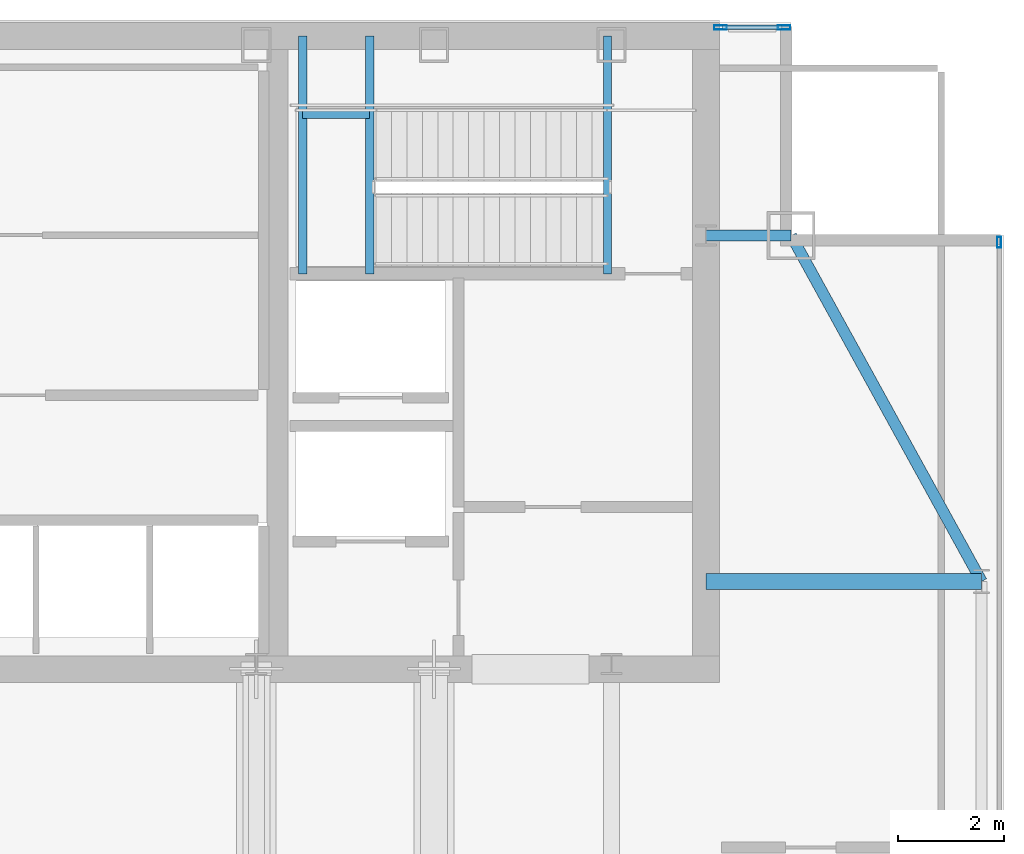
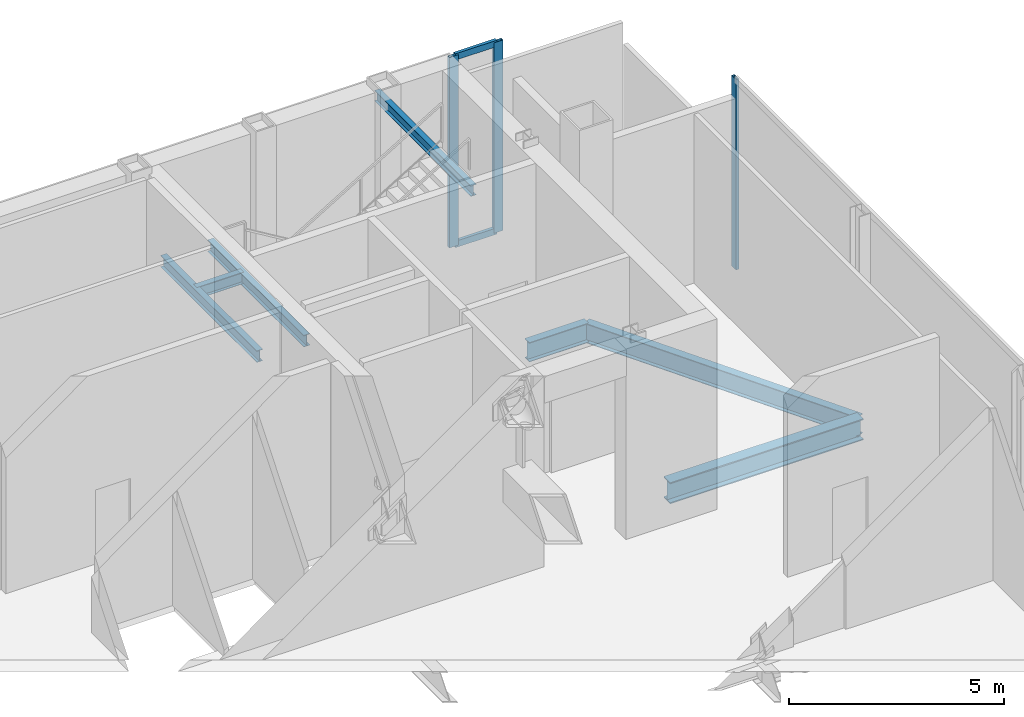
# One storey, part 20 of 26: 7 beams, 5 members, 2 elements without a shape of their own.
"""IFC4 building model written with IfcOpenShell, lengths in metres."""

from ifc_helpers import new_model, si_unit, direction, frame, origin, origin_2d, place, context, subcontext, project, spatial, hollow_rectangle, i_section, extrude, material, material_profile, profile_set, type_object, element, aggregate, save


model = new_model("IFC4")

# Units and contexts
model_context = context("Model", 3, precision=1e-05, world=origin(), true_north=direction((0.0, 1.0)))
body_context = subcontext(model_context, "Body", "Model", "MODEL_VIEW")
ifc_project = project(units=[si_unit("LENGTHUNIT", "METRE"), si_unit("AREAUNIT", "SQUARE_METRE"), si_unit("VOLUMEUNIT", "CUBIC_METRE"), si_unit("PLANEANGLEUNIT", "RADIAN"), si_unit("MASSUNIT", "GRAM", prefix="KILO")], contexts=[model_context])

# Site, building, storey
site_placement = place(None, origin())
site = spatial("IfcSite", under=ifc_project, at=site_placement, CompositionType="ELEMENT")
building_placement = place(site_placement, origin())
building = spatial("IfcBuilding", under=site, at=building_placement, Name="Khoronbel Lancet Exchange", CompositionType="ELEMENT")
storey_placement = place(building_placement, frame((0.0, 0.0, 350.60009765625)))
storey = spatial("IfcBuildingStorey", under=building, at=storey_placement, Name="L91", CompositionType="ELEMENT", Elevation=350.60009765625)

# Beams
ifc_material_1 = material(Name="Steel S355", Category="steel")
ifc_material_profile_1 = material_profile(ifc_material_1, i_section(OverallWidth=0.300048828125, OverallDepth=0.60009765625, WebThickness=0.015380859375, FlangeThickness=0.030029296875, at=origin_2d()), Name="HEB 600")
ifc_profile_set_1 = profile_set([ifc_material_profile_1], Name="Steel S355")
beam_type_1 = type_object("IfcBeamType", Name="BM-BG5", PredefinedType="BEAM", material=ifc_profile_set_1)
beam_1_placement = place(storey_placement, frame((56.449951171875, 43.199951171875, -0.52001953125), z_axis=(1.0, 0.0, 0.0), x_axis=(0.0, 1.0, 0.0)))
element("IfcBeam", 1, at=beam_1_placement, inside=storey, type_object=beam_type_1, Name="Level L91 east lens tie girder LG3E", PredefinedType="BEAM", context=body_context, shape_type="SweptSolid", body=[
    extrude(i_section(OverallWidth=0.300048828125, OverallDepth=0.60009765625, WebThickness=0.015380859375, FlangeThickness=0.030029296875, at=origin_2d()), origin(), (0.0, 0.0, 1.0), 5.179931640625),
])
ifc_material_profile_2 = material_profile(ifc_material_1, i_section(OverallWidth=0.159912109375, OverallDepth=0.330078125, WebThickness=0.007568359375, FlangeThickness=0.011474609375, at=origin_2d()), Name="IPE 330")
ifc_profile_set_2 = profile_set([ifc_material_profile_2], Name="Steel S355")
beam_type_2 = type_object("IfcBeamType", Name="BM-BJ7", PredefinedType="JOIST", material=ifc_profile_set_2)
for number, where, z_axis, x_axis, name in (
    (2, (50.1298828125, 48.97998046875, 2.434814453125), (0.0, 1.0, 0.0), (-1.0, 0.0, 0.0), "Level L91 stair ST2 landing bearer beam 1"),
    (3, (48.8701171875, 48.97998046875, 2.434814453125), (0.0, 1.0, 0.0), (-1.0, 0.0, 0.0), "Level L91 stair ST2 rear landing bearer beam 1"),
):
    element("IfcBeam", number, at=place(storey_placement, frame(where, z_axis=z_axis, x_axis=x_axis)), inside=storey, type_object=beam_type_2, Name=name, PredefinedType="JOIST", context=body_context, shape_type="SweptSolid", body=[
        extrude(i_section(OverallWidth=0.159912109375, OverallDepth=0.330078125, WebThickness=0.007568359375, FlangeThickness=0.011474609375, at=origin_2d()), origin(), (0.0, 0.0, 1.0), 4.469970703125),
    ])
beam_2_placement = place(storey_placement, frame((48.8701171875, 51.97998046875, 2.434814453125), z_axis=(1.0, 0.0, 0.0), x_axis=(0.0, 1.0, 0.0)))
element("IfcBeam", 4, at=beam_2_placement, inside=storey, type_object=beam_type_2, Name="Level L91 stair ST2 landing cross trimmer beam 1", PredefinedType="JOIST", context=body_context, shape_type="SweptSolid", body=[
    extrude(i_section(OverallWidth=0.159912109375, OverallDepth=0.330078125, WebThickness=0.007568359375, FlangeThickness=0.011474609375, at=origin_2d()), origin(), (0.0, 0.0, 1.0), 1.259765625),
])
ifc_material_profile_3 = material_profile(ifc_material_1, i_section(OverallWidth=0.14990234375, OverallDepth=0.300048828125, WebThickness=0.007080078125, FlangeThickness=0.0107421875, at=origin_2d()), Name="IPE 300")
ifc_profile_set_3 = profile_set([ifc_material_profile_3], Name="Steel S355")
beam_type_3 = type_object("IfcBeamType", Name="BM-BJ8", PredefinedType="JOIST", material=ifc_profile_set_3)
beam_3_placement = place(storey_placement, frame((54.60009765625, 48.97998046875, 5.119873046875), z_axis=(0.0, 1.0, 0.0), x_axis=(-1.0, 0.0, 0.0)))
element("IfcBeam", 5, at=beam_3_placement, inside=storey, type_object=beam_type_3, Name="Level L91 stair ST2 upper-flight arrival trimmer beam", PredefinedType="JOIST", context=body_context, shape_type="SweptSolid", body=[
    extrude(i_section(OverallWidth=0.14990234375, OverallDepth=0.300048828125, WebThickness=0.007080078125, FlangeThickness=0.0107421875, at=origin_2d()), origin(), (0.0, 0.0, 1.0), 4.469970703125),
])
ifc_material_profile_4 = material_profile(ifc_material_1, i_section(OverallWidth=0.2099609375, OverallDepth=0.550048828125, WebThickness=0.010986328125, FlangeThickness=0.01708984375, at=origin_2d()), Name="IPE 550")
ifc_profile_set_4 = profile_set([ifc_material_profile_4], Name="Steel S355")
beam_type_4 = type_object("IfcBeamType", Name="BM-BSP3", PredefinedType="SPANDREL", material=ifc_profile_set_4)
beam_4_placement = place(storey_placement, frame((61.6298828125, 43.199951171875, -0.4951171875), z_axis=(-0.482418808117, 0.875940690672, 0.0), x_axis=(-0.875940690672, -0.482418808117, 0.0)))
element("IfcBeam", 6, at=beam_4_placement, inside=storey, type_object=beam_type_4, Name="Level L91 perimeter spandrel beam SP13", PredefinedType="SPANDREL", context=body_context, shape_type="SweptSolid", body=[
    extrude(i_section(OverallWidth=0.2099609375, OverallDepth=0.550048828125, WebThickness=0.010986328125, FlangeThickness=0.01708984375, at=origin_2d()), origin(), (0.0, 0.0, 1.0), 7.420654296875),
])
beam_5_placement = place(storey_placement, frame((58.050048828125, 49.699951171875, -0.4951171875), z_axis=(-1.0, 0.0, 0.0), x_axis=(0.0, -1.0, 0.0)))
element("IfcBeam", 7, at=beam_5_placement, inside=storey, type_object=beam_type_4, Name="Level L91 north flank tie spandrel SP21", PredefinedType="SPANDREL", context=body_context, shape_type="SweptSolid", body=[
    extrude(i_section(OverallWidth=0.2099609375, OverallDepth=0.550048828125, WebThickness=0.010986328125, FlangeThickness=0.01708984375, at=origin_2d()), origin(), (0.0, 0.0, 1.0), 1.60009765625),
])

# Curtain wall, members
ifc_material_2 = material(Name="Low-E Solar Control Insulating Glass", Category="glass")
curtain_wall_type = type_object("IfcCurtainWallType", Name="CW-6", PredefinedType="NOTDEFINED", material=ifc_material_2)
curtain_wall_1_placement = place(storey_placement, origin())
curtain_wall_1 = element("IfcCurtainWall", 8, at=curtain_wall_1_placement, inside=storey, type_object=curtain_wall_type, Name="Unitised curtain wall CW-L91-NEFLK", PredefinedType="NOTDEFINED")
ifc_material_3 = material(Name="Bronze-Anodised Aluminium 6063-T6", Category="aluminium")
ifc_material_profile_5 = material_profile(ifc_material_3, hollow_rectangle(XDim=0.0849609375, YDim=0.239990234375, WallThickness=0.006103515625, at=origin_2d()), Name="ALU MULLION 85x240")
ifc_profile_set_5 = profile_set([ifc_material_profile_5], Name="Bronze-Anodised Aluminium 6063-T6")
member_type_1 = type_object("IfcMemberType", Name="MEM-CWM1", PredefinedType="MULLION", material=ifc_profile_set_5)
member_1_placement = place(storey_placement, frame((57.91748046875, 53.610107421875, 0.0), z_axis=(0.0, 0.0, 1.0), x_axis=(0.0, -1.0, 0.0)))
member_1 = element("IfcMember", 9, at=member_1_placement, type_object=member_type_1, Name="CW6 mullion 1", PredefinedType="MULLION", context=body_context, shape_type="SweptSolid", body=[
    extrude(hollow_rectangle(XDim=0.0849609375, YDim=0.239990234375, WallThickness=0.006103515625, at=origin_2d()), origin(), (0.0, 0.0, 1.0), 5.39990234375),
])
member_2_placement = place(storey_placement, frame((56.722412109375, 53.610107421875, 0.0), z_axis=(0.0, 0.0, 1.0), x_axis=(0.0, -1.0, 0.0)))
member_2 = element("IfcMember", 10, at=member_2_placement, type_object=member_type_1, Name="CW6 mullion 2", PredefinedType="MULLION", context=body_context, shape_type="SweptSolid", body=[
    extrude(hollow_rectangle(XDim=0.0849609375, YDim=0.239990234375, WallThickness=0.006103515625, at=origin_2d()), origin(), (0.0, 0.0, 1.0), 5.39990234375),
])

# Curtain wall, member
curtain_wall_2_placement = place(storey_placement, origin())
curtain_wall_2 = element("IfcCurtainWall", 11, at=curtain_wall_2_placement, inside=storey, type_object=curtain_wall_type, Name="Unitised curtain wall CW-L91-E09", PredefinedType="NOTDEFINED")
ifc_material_profile_6 = material_profile(ifc_material_3, hollow_rectangle(XDim=0.074951171875, YDim=0.199951171875, WallThickness=0.0048828125, at=origin_2d()), Name="ALU MULLION 75x200")
ifc_profile_set_6 = profile_set([ifc_material_profile_6], Name="Bronze-Anodised Aluminium 6063-T6")
member_type_2 = type_object("IfcMemberType", Name="MEM-CWM2", PredefinedType="MULLION", material=ifc_profile_set_6)
member_3_placement = place(storey_placement, frame((61.9599609375, 49.572509765625, 0.0), z_axis=(0.0, 0.0, 1.0), x_axis=(1.0, 0.0, 0.0)))
member_3 = element("IfcMember", 12, at=member_3_placement, type_object=member_type_2, Name="CW6 mullion 1", PredefinedType="MULLION", context=body_context, shape_type="SweptSolid", body=[
    extrude(hollow_rectangle(XDim=0.074951171875, YDim=0.199951171875, WallThickness=0.0048828125, at=origin_2d()), origin(), (0.0, 0.0, 1.0), 5.39990234375),
])
aggregate(curtain_wall_2, [member_3])

# Member
ifc_material_profile_7 = material_profile(ifc_material_3, hollow_rectangle(XDim=0.0849609375, YDim=0.179931640625, WallThickness=0.0048828125, at=origin_2d()), Name="ALU TRANSOM 85x180")
ifc_profile_set_7 = profile_set([ifc_material_profile_7], Name="Bronze-Anodised Aluminium 6063-T6")
member_type_3 = type_object("IfcMemberType", Name="MEM-CWT1", PredefinedType="USERDEFINED", material=ifc_profile_set_7)
member_4_placement = place(storey_placement, frame((57.875, 53.610107421875, 0.04248046875), z_axis=(-1.0, 0.0, 0.0), x_axis=(0.0, -1.0, 0.0)))
member_4 = element("IfcMember", 13, at=member_4_placement, type_object=member_type_3, Name="CW6 transom 1.1", ObjectType="TRANSOM", PredefinedType="USERDEFINED", context=body_context, shape_type="SweptSolid", body=[
    extrude(hollow_rectangle(XDim=0.0849609375, YDim=0.179931640625, WallThickness=0.0048828125, at=origin_2d()), origin(), (0.0, 0.0, 1.0), 1.110107421875),
])

member_5_placement = place(storey_placement, frame((57.875, 53.610107421875, 5.357421875), z_axis=(-1.0, 0.0, 0.0), x_axis=(0.0, -1.0, 0.0)))
member_5 = element("IfcMember", 14, at=member_5_placement, type_object=member_type_3, Name="CW6 transom 1.2", ObjectType="TRANSOM", PredefinedType="USERDEFINED", context=body_context, shape_type="SweptSolid", body=[
    extrude(hollow_rectangle(XDim=0.0849609375, YDim=0.179931640625, WallThickness=0.0048828125, at=origin_2d()), origin(), (0.0, 0.0, 1.0), 1.110107421875),
])

aggregate(curtain_wall_1, [member_1, member_2, member_4, member_5])

save(model, "model.ifc")
